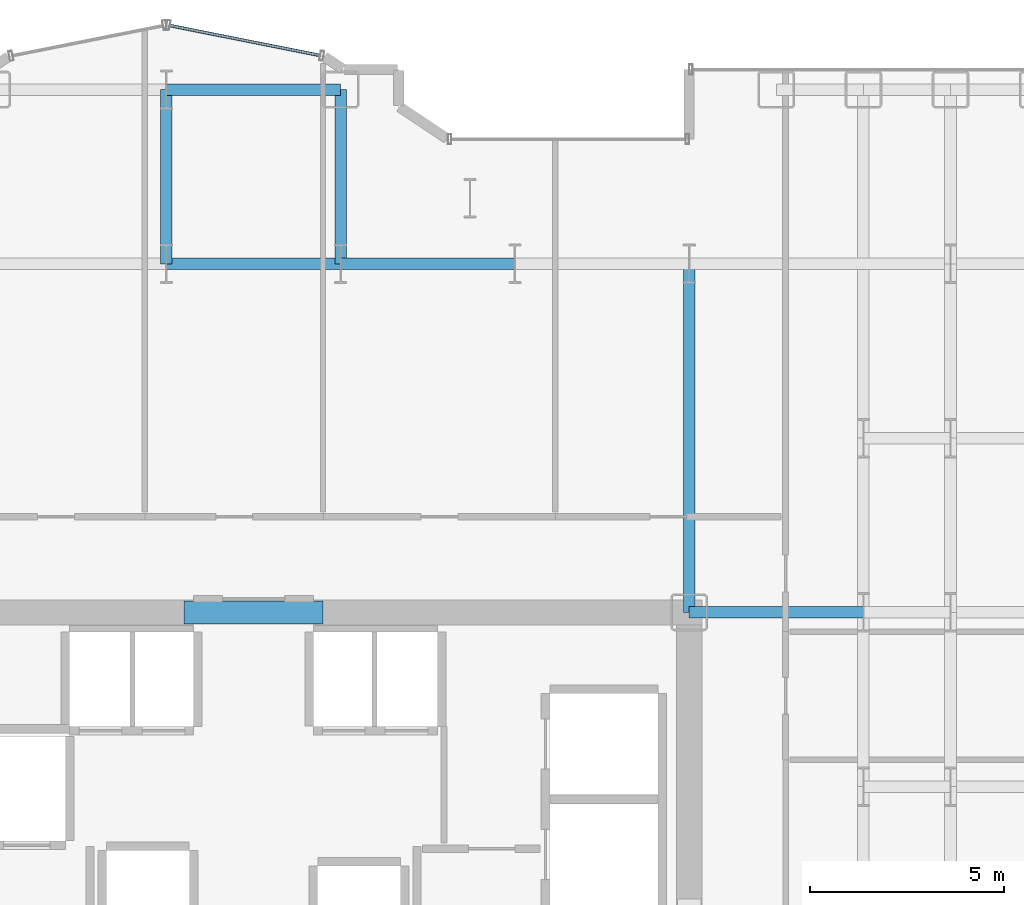
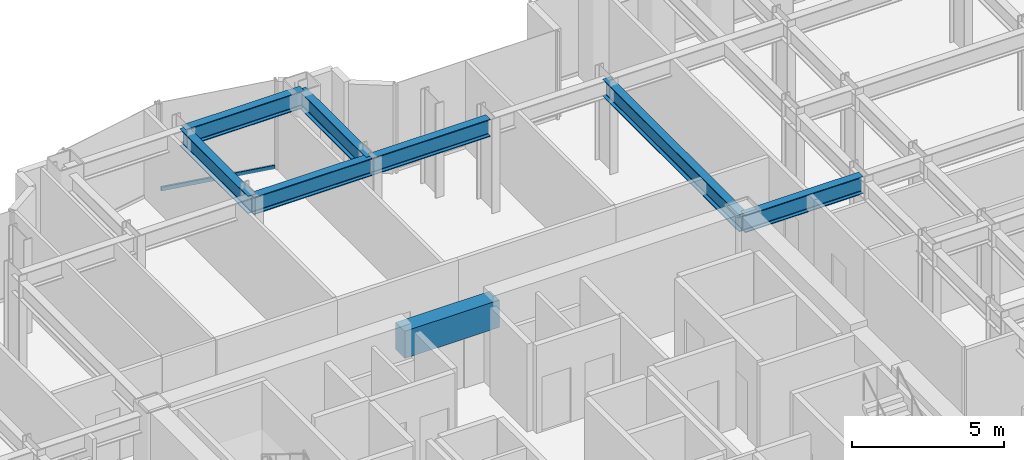
# One storey, part 11 of 26: 8 beams, 1 member, 1 element without a shape of its own.
"""IFC4 building model written with IfcOpenShell, lengths in metres."""

from ifc_helpers import new_model, si_unit, direction, frame, origin, origin_2d, place, context, subcontext, project, spatial, rectangle, hollow_rectangle, i_section, extrude, source, transform, mapped, material, layer, layer_set, material_profile, profile_set, type_object, element, aggregate, save


model = new_model("IFC4")

# Units and contexts
model_context = context("Model", 3, precision=1e-05, world=origin(), true_north=direction((0.0, 1.0)))
body_context = subcontext(model_context, "Body", "Model", "MODEL_VIEW")
ifc_project = project(units=[si_unit("LENGTHUNIT", "METRE"), si_unit("AREAUNIT", "SQUARE_METRE"), si_unit("VOLUMEUNIT", "CUBIC_METRE"), si_unit("PLANEANGLEUNIT", "RADIAN"), si_unit("MASSUNIT", "GRAM", prefix="KILO")], contexts=[model_context])

# Site, building, storey
site_placement = place(None, origin())
site = spatial("IfcSite", under=ifc_project, at=site_placement, CompositionType="ELEMENT")
building_placement = place(site_placement, origin())
building = spatial("IfcBuilding", under=site, at=building_placement, Name="Nefas-Gora Pilgrimage Tower", CompositionType="ELEMENT")
storey_placement = place(building_placement, frame((0.0, 0.0, 59.60009765625)))
storey = spatial("IfcBuildingStorey", under=building, at=storey_placement, Name="L13", CompositionType="ELEMENT", Elevation=59.60009765625)

# Beams
ifc_material_1 = material(Name="Concrete C60/75", Category="concrete")
ifc_material_profile_1 = material_profile(ifc_material_1, rectangle(XDim=0.60009765625, YDim=1.10009765625, at=origin_2d()), Name="RC 600x1100")
ifc_profile_set_1 = profile_set([ifc_material_profile_1], Name="Concrete C60/75")
beam_type_1 = type_object("IfcBeamType", Name="BM-LIN-RC1100", PredefinedType="LINTEL", material=ifc_profile_set_1)
shared_shape_1 = source(origin(), body_context, "Body", "SweptSolid", [
    extrude(rectangle(XDim=0.60009765625, YDim=1.10009765625, at=origin_2d()), origin(), (0.0, 0.0, 1.0), 3.60009765625),
])
beam_1_placement = place(storey_placement, frame((-1.800048828125, 9.0, 3.0), z_axis=(1.0, 0.0, 0.0), x_axis=(0.0, 1.0, 0.0)))
element("IfcBeam", 1, at=beam_1_placement, inside=storey, type_object=beam_type_1, Name="L13 Core Coupling Lintel Beam N", PredefinedType="LINTEL", context=body_context, shape_type="MappedRepresentation", body=[
    mapped(shared_shape_1, transform((0.0, 0.0, 0.0), x_axis=(1.0, 0.0, 0.0), y_axis=(0.0, 1.0, 0.0), z_axis=(0.0, 0.0, 1.0), scale=1.0)),
])
ifc_material_2 = material(Name="Steel S355", Category="steel")
ifc_material_profile_2 = material_profile(ifc_material_2, i_section(OverallWidth=0.300048828125, OverallDepth=0.699951171875, WebThickness=0.01708984375, FlangeThickness=0.031982421875, FilletRadius=0.027099609375, at=origin_2d()), Name="HEB 700")
ifc_profile_set_2 = profile_set([ifc_material_profile_2], Name="Steel S355")
beam_type_2 = type_object("IfcBeamType", Name="BM-GIR-HEB700", PredefinedType="BEAM", material=ifc_profile_set_2)
shared_shape_2 = source(origin(), body_context, "Body", "SweptSolid", [
    extrude(i_section(OverallWidth=0.300048828125, OverallDepth=0.699951171875, WebThickness=0.01708984375, FlangeThickness=0.031982421875, FilletRadius=0.027099609375, at=origin_2d()), origin(), (0.0, 0.0, 1.0), 9.0),
])
beam_2_placement = place(storey_placement, frame((11.25, 9.0, 3.199951171875), z_axis=(0.0, 1.0, 0.0), x_axis=(-1.0, 0.0, 0.0)))
element("IfcBeam", 2, at=beam_2_placement, inside=storey, type_object=beam_type_2, Name="L13 G-02 beam", PredefinedType="BEAM", context=body_context, shape_type="MappedRepresentation", body=[
    mapped(shared_shape_2, transform((0.0, 0.0, 0.0), x_axis=(1.0, 0.0, 0.0), y_axis=(0.0, 1.0, 0.0), z_axis=(0.0, 0.0, 1.0), scale=1.0)),
])
shared_shape_3 = source(origin(), body_context, "Body", "SweptSolid", [
    extrude(i_section(OverallWidth=0.300048828125, OverallDepth=0.699951171875, WebThickness=0.01708984375, FlangeThickness=0.031982421875, FilletRadius=0.027099609375, at=origin_2d()), origin(), (0.0, 0.0, 1.0), 4.5),
])
for number, where, z_axis, x_axis, name in (
    (3, (-2.25, 18.0, 3.199951171875), (0.0, 1.0, 0.0), (-1.0, 0.0, 0.0), "L13 G-02 beam"),
    (4, (-2.25, 18.0, 3.199951171875), (1.0, 0.0, 0.0), (0.0, 1.0, 0.0), "L13 G-02 beam"),
    (5, (-2.25, 22.5, 3.199951171875), (1.0, 0.0, 0.0), (0.0, 1.0, 0.0), "L13 G-02 beam"),
    (6, (2.25, 18.0, 3.199951171875), (0.0, 1.0, 0.0), (-1.0, 0.0, 0.0), "L13 G-02 beam"),
    (7, (2.25, 18.0, 3.199951171875), (1.0, 0.0, 0.0), (0.0, 1.0, 0.0), "L13 G-02 beam"),
    (8, (11.25, 9.0, 3.199951171875), (1.0, 0.0, 0.0), (0.0, 1.0, 0.0), "L13 G-02 beam"),
):
    element("IfcBeam", number, at=place(storey_placement, frame(where, z_axis=z_axis, x_axis=x_axis)), inside=storey, type_object=beam_type_2, Name=name, PredefinedType="BEAM", context=body_context, shape_type="MappedRepresentation", body=[
        mapped(shared_shape_3, transform((0.0, 0.0, 0.0), x_axis=(1.0, 0.0, 0.0), y_axis=(0.0, 1.0, 0.0), z_axis=(0.0, 0.0, 1.0), scale=1.0)),
    ])

# Curtain wall, member
ifc_material_3 = material(Name="Dark ceramic-fritted solar-control aluminium-glass curtain wall", Category="aluminium")
ifc_layer = layer(ifc_material_3, 0.219970703125)
ifc_layer_set = layer_set([ifc_layer], Name="Dark ceramic-fritted solar-control aluminium-glass curtain wall")
curtain_wall_type = type_object("IfcCurtainWallType", Name="CW-SYS-5", PredefinedType="NOTDEFINED", material=ifc_layer_set)
curtain_wall_placement = place(storey_placement, origin())
curtain_wall = element("IfcCurtainWall", 9, at=curtain_wall_placement, inside=storey, type_object=curtain_wall_type, Name="L13 Unitised Curtain Wall CW5", PredefinedType="NOTDEFINED")
ifc_material_4 = material(Name="Anodised architectural aluminium", Category="aluminium")
ifc_material_profile_3 = material_profile(ifc_material_4, hollow_rectangle(XDim=0.080078125, YDim=0.159912109375, WallThickness=0.00439453125, InnerFilletRadius=0.00439453125, OuterFilletRadius=0.009033203125, at=origin_2d()), Name="ALU TRANSOM 80x160")
ifc_profile_set_3 = profile_set([ifc_material_profile_3], Name="Anodised architectural aluminium")
member_type = type_object("IfcMemberType", Name="CWM-TRN-5", PredefinedType="USERDEFINED", material=ifc_profile_set_3)
shared_shape_4 = source(origin(), body_context, "Body", "SweptSolid", [
    extrude(hollow_rectangle(XDim=0.080078125, YDim=0.159912109375, WallThickness=0.00439453125, InnerFilletRadius=0.00439453125, OuterFilletRadius=0.009033203125, at=origin_2d()), origin(), (0.0, 0.0, 1.0), 3.95654296875),
])
member_placement = place(storey_placement, frame((1.718994140625, 23.3828125, 0.0498046875), z_axis=(-0.980781880918, 0.195107411605, 0.0), x_axis=(-0.195107411605, -0.980781880918, 0.0)))
member = element("IfcMember", 10, at=member_placement, type_object=member_type, Name="CW5 Spandrel Transom", ObjectType="TRANSOM", PredefinedType="USERDEFINED", context=body_context, shape_type="MappedRepresentation", body=[
    mapped(shared_shape_4, transform((0.0, 0.0, 0.0), x_axis=(1.0, 0.0, 0.0), y_axis=(0.0, 1.0, 0.0), z_axis=(0.0, 0.0, 1.0), scale=1.0)),
])
aggregate(curtain_wall, [member])

save(model, "model.ifc")
